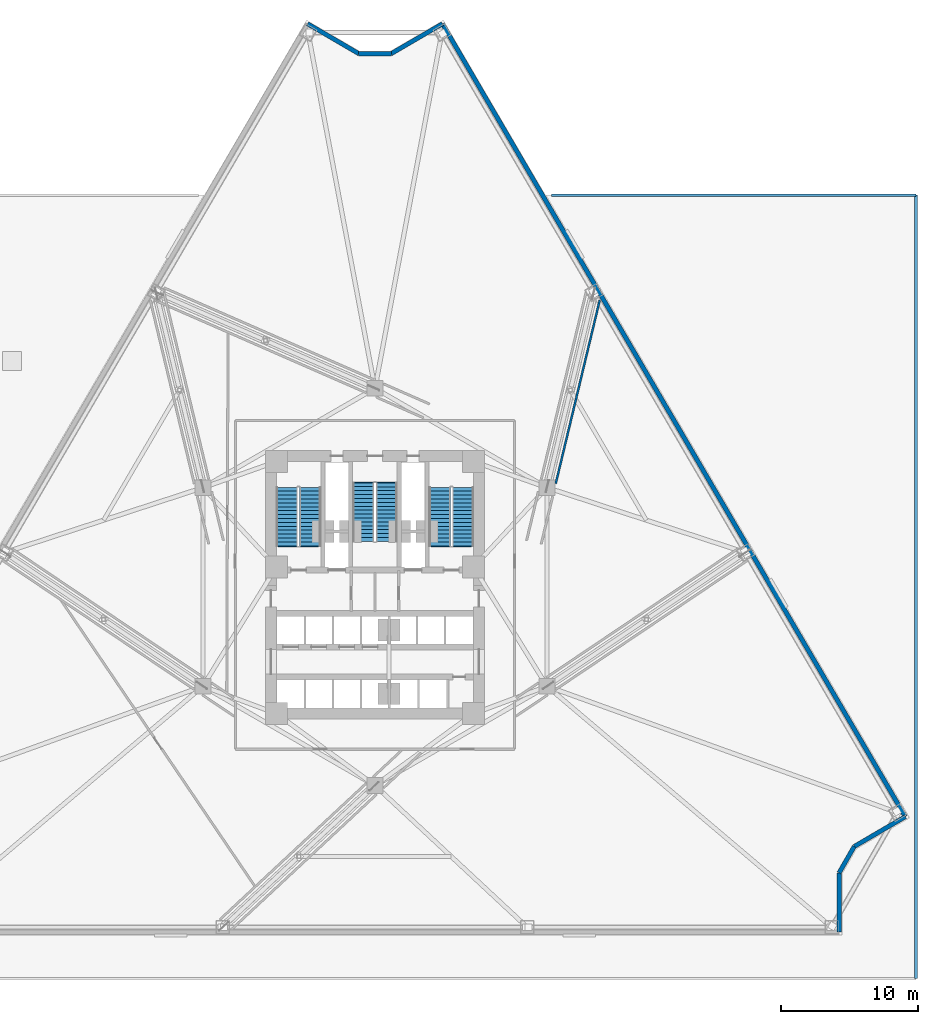
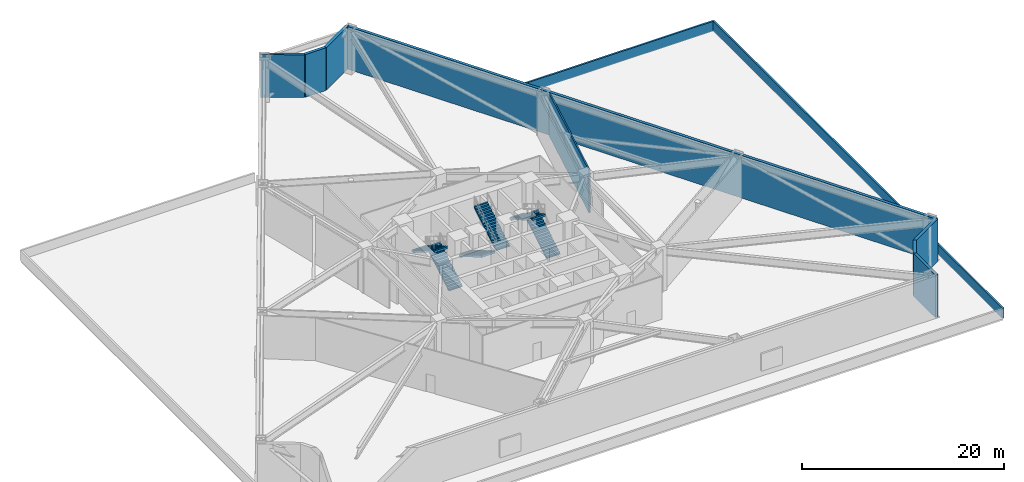
# One storey, part 18 of 23: 10 walls, 6 stair flights, 3 elements without a shape of their own.
"""IFC4 building model written with IfcOpenShell, lengths in metres."""

import ifcopenshell
import ifcopenshell.guid

model = None  # the IFC model being written
_history = None  # IfcOwnerHistory: only IFC2X3 demands one
_inside = {}  # id of a spatial element -> (the spatial element, [elements in it])
_under = {}  # id of a project, library or spatial element -> (it, [spatial elements below it])
_declared = {}  # id of a project -> (the project, [libraries it declares])
_typed = {}  # id of a type object -> (the type object, [elements of that type])
_made_of = {}  # id of a material, layer set ... -> (it, [elements and type objects made of it])


def new_model(schema):
    """Start an empty IFC model of exactly this schema.

    Asked for "IFC4X3", IfcOpenShell would pick the latest addendum, in which some entities
    have other attributes; the version numbers below select the first issue.
    IFC2X3 requires an IfcOwnerHistory on every rooted entity: one is made here for all.
    """
    global model, _history
    if schema == "IFC4X3":
        model = ifcopenshell.file(schema_version=(4, 3, 0, 0))
    else:
        model = ifcopenshell.file(schema=schema)
    _inside.clear()
    _under.clear()
    _declared.clear()
    _typed.clear()
    _made_of.clear()
    _history = None
    if model.schema == "IFC2X3":
        org = make("IfcOrganization", Name="unknown")
        user = make(
            "IfcPersonAndOrganization",
            ThePerson=make("IfcPerson", FamilyName="unknown"),
            TheOrganization=org,
        )
        app = make(
            "IfcApplication",
            ApplicationDeveloper=org,
            Version="unknown",
            ApplicationFullName="unknown",
            ApplicationIdentifier="unknown",
        )
        _history = make(
            "IfcOwnerHistory",
            OwningUser=user,
            OwningApplication=app,
            ChangeAction="ADDED",
            CreationDate=0,
        )
    return model


def make(cls, **values):
    """One entity of the class cls with the attributes given. An attribute that is None is left unset."""
    return model.create_entity(
        cls, **{name: value for name, value in values.items() if value is not None}
    )


def rooted(cls, **values):
    """An entity with a GlobalId (a new one), such as an element, a storey or a relation."""
    return make(cls, GlobalId=ifcopenshell.guid.new(), OwnerHistory=_history, **values)


def si_unit(unit_type, name, prefix=None):
    """IfcSIUnit, for example si_unit("LENGTHUNIT", "METRE", prefix="MILLI")."""
    return make("IfcSIUnit", UnitType=unit_type, Prefix=prefix, Name=name)


def assignment(units):
    """IfcUnitAssignment: the units of a project."""
    return None if units is None else make("IfcUnitAssignment", Units=units)


def point(xyz):
    """IfcCartesianPoint."""
    return None if xyz is None else make("IfcCartesianPoint", Coordinates=xyz)


def direction(xyz):
    """IfcDirection."""
    return None if xyz is None else make("IfcDirection", DirectionRatios=xyz)


def frame(location, z_axis=None, x_axis=None):
    """IfcAxis2Placement3D, a coordinate frame: its origin and axes. An axis left out is left unset."""
    return make(
        "IfcAxis2Placement3D",
        Location=point(location),
        Axis=direction(z_axis),
        RefDirection=direction(x_axis),
    )


def frame_2d(location, x_axis=None):
    """IfcAxis2Placement2D, a coordinate frame in the plane: its origin and x axis."""
    return make(
        "IfcAxis2Placement2D", Location=point(location), RefDirection=direction(x_axis)
    )


def origin():
    """The frame at (0, 0, 0) with its axes left unset."""
    return frame((0.0, 0.0, 0.0))


def place(relative_to, where):
    """IfcLocalPlacement: puts the frame where relative to a parent placement (None: the world)."""
    return make(
        "IfcLocalPlacement", PlacementRelTo=relative_to, RelativePlacement=where
    )


def context(
    kind, dimensions, precision=None, world=None, true_north=None, identifier=None
):
    """IfcGeometricRepresentationContext, for example the 3D "Model" context."""
    return make(
        "IfcGeometricRepresentationContext",
        ContextIdentifier=identifier,
        ContextType=kind,
        CoordinateSpaceDimension=dimensions,
        Precision=precision,
        WorldCoordinateSystem=world,
        TrueNorth=true_north,
    )


def subcontext(parent, identifier, kind, view, scale=None):
    """IfcGeometricRepresentationSubContext, for example "Body" below "Model"."""
    return make(
        "IfcGeometricRepresentationSubContext",
        ContextIdentifier=identifier,
        ContextType=kind,
        ParentContext=parent,
        TargetScale=scale,
        TargetView=view,
    )


def project(units=None, contexts=None):
    """IfcProject with its units and contexts."""
    return rooted(
        "IfcProject",
        Name="project",
        RepresentationContexts=contexts,
        UnitsInContext=assignment(units),
    )


def spatial(cls, under=None, at=None, **own):
    """A site, building, storey or space (cls), placed at a placement, below another one or the project."""
    s = rooted(cls, ObjectPlacement=at, **own)
    if under is not None:
        _under.setdefault(under.id(), (under, []))[1].append(s)
    return s


def polyline(points):
    """IfcPolyline through the points."""
    return make("IfcPolyline", Points=[point(p) for p in points])


def profile(cls, at=None, kind="AREA", **sizes):
    """A parametric profile (cls). Its sizes go by their IFC names, for example OverallWidth=200.0."""
    return make(cls, ProfileType=kind, Position=at, **sizes)


def rectangle(**sizes):
    """IfcRectangleProfileDef."""
    return profile("IfcRectangleProfileDef", **sizes)


def outline(outer, holes=None, kind="AREA"):
    """IfcArbitraryClosedProfileDef: a profile drawn as a closed curve; with holes, ...WithVoids."""
    if holes is None:
        return make("IfcArbitraryClosedProfileDef", ProfileType=kind, OuterCurve=outer)
    return make(
        "IfcArbitraryProfileDefWithVoids",
        ProfileType=kind,
        OuterCurve=outer,
        InnerCurves=holes,
    )


def extrude(swept, where, along, depth):
    """IfcExtrudedAreaSolid: the profile swept, set in the frame where, extruded along a direction by depth."""
    return make(
        "IfcExtrudedAreaSolid",
        SweptArea=swept,
        Position=where,
        ExtrudedDirection=direction(along),
        Depth=depth,
    )


def shape(context_of_items, identifier, shape_type, items):
    """IfcShapeRepresentation: the items that make up one representation, for example the "Body"."""
    return make(
        "IfcShapeRepresentation",
        ContextOfItems=context_of_items,
        RepresentationIdentifier=identifier,
        RepresentationType=shape_type,
        Items=items,
    )


def material(Name=None, Category=None):
    """IfcMaterial."""
    return make("IfcMaterial", Name=Name, Category=Category)


def layer(
    of_material, thickness, ventilated=None, Name=None, Category=None, Priority=None
):
    """IfcMaterialLayer: one layer of a wall or slab, of a material (None: an air gap)."""
    return make(
        "IfcMaterialLayer",
        Material=of_material,
        LayerThickness=thickness,
        IsVentilated=ventilated,
        Name=Name,
        Category=Category,
        Priority=Priority,
    )


def layer_set(layers, Name=None):
    """IfcMaterialLayerSet."""
    return make("IfcMaterialLayerSet", MaterialLayers=layers, LayerSetName=Name)


def made_of(thing, what):
    """Note that an element or type object is made of a material, layer set ...; save() writes the relation."""
    if what is not None:
        _made_of.setdefault(what.id(), (what, []))[1].append(thing)
    return thing


def type_object(cls, material=None, **own):
    """A type object (cls), such as IfcWallType, which elements share."""
    return made_of(rooted(cls, **own), material)


def element(
    cls,
    number,
    at=None,
    inside=None,
    cuts=None,
    type_object=None,
    material=None,
    context=None,
    identifier="Body",
    shape_type=None,
    held_by="IfcProductDefinitionShape",
    body=None,
    shapes=None,
    **own,
):
    """One element of the class cls, such as IfcWall. Its Tag is "e" and its number.

    at: its placement. inside: the storey or other place that contains it. cuts: it is an
    opening in that element (IfcRelVoidsElement). A single representation is given by context,
    identifier, shape_type and body (its items); several are given by shapes. held_by: the class
    of the entity that holds the representations. save() writes the other relations.
    """
    e = rooted(cls, Tag="e%d" % number, ObjectPlacement=at, **own)
    if body is not None:
        shapes = [shape(context, identifier, shape_type, body)]
    if shapes is not None:
        e.Representation = make(held_by, Representations=shapes)
    if inside is not None:
        _inside.setdefault(inside.id(), (inside, []))[1].append(e)
    if cuts is not None:
        rooted(
            "IfcRelVoidsElement", RelatingBuildingElement=cuts, RelatedOpeningElement=e
        )
    if type_object is not None:
        _typed.setdefault(type_object.id(), (type_object, []))[1].append(e)
    return made_of(e, material)


def aggregate(whole, parts):
    """IfcRelAggregates: a whole, such as a stair, and the parts it consists of."""
    return rooted("IfcRelAggregates", RelatingObject=whole, RelatedObjects=parts)


def save(model, path):
    """Write the relations noted so far, then the file.

    IfcRelAggregates (storeys below a building ...), IfcRelContainedInSpatialStructure (elements
    in a storey), IfcRelDefinesByType, IfcRelAssociatesMaterial and IfcRelDeclares: one each for
    every whole, place, type object, material and project.
    """
    for whole, parts in _under.values():
        aggregate(whole, parts)
    for where, things in _inside.values():
        rooted(
            "IfcRelContainedInSpatialStructure",
            RelatedElements=things,
            RelatingStructure=where,
        )
    for kind, things in _typed.values():
        rooted("IfcRelDefinesByType", RelatedObjects=things, RelatingType=kind)
    for what, things in _made_of.values():
        rooted("IfcRelAssociatesMaterial", RelatedObjects=things, RelatingMaterial=what)
    for by, libraries in _declared.values():
        rooted("IfcRelDeclares", RelatingContext=by, RelatedDefinitions=libraries)
    model.write(path)


model = new_model("IFC4")

# Units and contexts
model_context = context("Model", 3, precision=1e-05, world=origin(), true_north=direction((0.0, 1.0)))
body_context = subcontext(model_context, "Body", "Model", "MODEL_VIEW")
ifc_project = project(units=[si_unit("LENGTHUNIT", "METRE"), si_unit("AREAUNIT", "SQUARE_METRE"), si_unit("VOLUMEUNIT", "CUBIC_METRE"), si_unit("PLANEANGLEUNIT", "RADIAN"), si_unit("MASSUNIT", "GRAM", prefix="KILO")], contexts=[model_context])

# Site, building, storey
site_placement = place(None, origin())
site = spatial("IfcSite", under=ifc_project, at=site_placement, CompositionType="ELEMENT")
building_placement = place(site_placement, origin())
building = spatial("IfcBuilding", under=site, at=building_placement, Name="Apsidion Concourse Tower", CompositionType="ELEMENT")
storey_placement = place(building_placement, frame((0.0, 0.0, 29.0)))
storey = spatial("IfcBuildingStorey", under=building, at=storey_placement, Name="L05", CompositionType="ELEMENT", Elevation=29.0)

# Walls
ifc_material_1 = material(Name="Precast concrete C40/50", Category="concrete")
ifc_layer_1 = layer(ifc_material_1, 0.320068359375)
ifc_layer_set_1 = layer_set([ifc_layer_1], Name="Precast concrete C40/50")
wall_type_1 = type_object("IfcWallType", Name="WL-EXT-320", PredefinedType="STANDARD", material=ifc_layer_set_1)
wall_1_placement = place(storey_placement, frame((4.9228515625, 41.121826171875, 0.0), z_axis=(0.0, 0.0, 1.0), x_axis=(0.504213113214, -0.863579258935, 0.0)))
element("IfcWall", 1, at=wall_1_placement, inside=storey, type_object=wall_type_1, Name="L05 Precast Stone Facade Wall 01", PredefinedType="STANDARD", context=body_context, shape_type="SweptSolid", body=[
    extrude(rectangle(XDim=67.041015625, YDim=0.320068359375, at=frame_2d((33.5205078125, 0.0))), origin(), (0.0, 0.0, 1.0), 5.14990234375),
])
wall_2_placement = place(storey_placement, frame((38.725830078125, -16.7734375, 0.0), z_axis=(0.0, 0.0, 1.0), x_axis=(-0.863569936823, -0.504229079105, 0.0)))
element("IfcWall", 2, at=wall_2_placement, inside=storey, type_object=wall_type_1, Name="L05 Precast Stone Facade Wall 02", PredefinedType="STANDARD", context=body_context, shape_type="SweptSolid", body=[
    extrude(rectangle(XDim=4.32373046875, YDim=0.320068359375, at=frame_2d((2.161865234375, 0.0))), origin(), (0.0, 0.0, 1.0), 5.14990234375),
])
wall_3_placement = place(storey_placement, frame((34.991943359375, -18.95361328125, 0.0), z_axis=(0.0, 0.0, 1.0), x_axis=(-0.497881323344, -0.867245171717, 0.0)))
element("IfcWall", 3, at=wall_3_placement, inside=storey, type_object=wall_type_1, Name="L05 Precast Stone Facade Wall 03", PredefinedType="STANDARD", context=body_context, shape_type="SweptSolid", body=[
    extrude(rectangle(XDim=2.216796875, YDim=0.320068359375, at=frame_2d((1.1083984375, 0.0))), origin(), (0.0, 0.0, 1.0), 5.14990234375),
])
wall_4_placement = place(storey_placement, frame((33.88818359375, -20.876220703125, 0.0), z_axis=(0.0, 0.0, 1.0), x_axis=(0.0, -1.0, 0.0)))
element("IfcWall", 4, at=wall_4_placement, inside=storey, type_object=wall_type_1, Name="L05 Precast Stone Facade Wall 04", PredefinedType="STANDARD", context=body_context, shape_type="SweptSolid", body=[
    extrude(rectangle(XDim=4.32373046875, YDim=0.320068359375, at=frame_2d((2.161865234375, 0.0))), origin(), (0.0, 0.0, 1.0), 5.14990234375),
])
wall_5_placement = place(storey_placement, frame((-4.9228515625, 41.121826171875, 0.0), z_axis=(0.0, 0.0, 1.0), x_axis=(0.863588414101, -0.50419743259, 0.0)))
element("IfcWall", 5, at=wall_5_placement, inside=storey, type_object=wall_type_1, Name="L05 Precast Stone Facade Wall 10", PredefinedType="STANDARD", context=body_context, shape_type="SweptSolid", body=[
    extrude(rectangle(XDim=4.324462890625, YDim=0.320068359375, at=frame_2d((2.162109375, 0.0))), origin(), (0.0, 0.0, 1.0), 5.14990234375),
])
wall_6_placement = place(storey_placement, frame((-1.188232421875, 38.94140625, 0.0), z_axis=(0.0, 0.0, 1.0), x_axis=(1.0, 0.0, 0.0)))
element("IfcWall", 6, at=wall_6_placement, inside=storey, type_object=wall_type_1, Name="L05 Precast Stone Facade Wall 11", PredefinedType="STANDARD", context=body_context, shape_type="SweptSolid", body=[
    extrude(rectangle(XDim=2.37646484375, YDim=0.320068359375, at=frame_2d((1.188232421875, 0.0))), origin(), (0.0, 0.0, 1.0), 5.14990234375),
])
wall_7_placement = place(storey_placement, frame((1.188232421875, 38.94140625, 0.0), z_axis=(0.0, 0.0, 1.0), x_axis=(0.863588414101, 0.50419743259, 0.0)))
element("IfcWall", 7, at=wall_7_placement, inside=storey, type_object=wall_type_1, Name="L05 Precast Stone Facade Wall 12", PredefinedType="STANDARD", context=body_context, shape_type="SweptSolid", body=[
    extrude(rectangle(XDim=4.324462890625, YDim=0.320068359375, at=frame_2d((2.162109375, 0.0))), origin(), (0.0, 0.0, 1.0), 5.14990234375),
])
ifc_material_2 = material(Name="Gypsum plasterboard partition")
ifc_layer_2 = layer(ifc_material_2, 0.14990234375)
ifc_layer_set_2 = layer_set([ifc_layer_2], Name="Gypsum plasterboard partition")
wall_type_2 = type_object("IfcWallType", Name="WL-INT-PAR-150", PredefinedType="PARTITIONING", material=ifc_layer_set_2)
wall_8_placement = place(storey_placement, frame((13.195068359375, 7.539306640625, 0.0), z_axis=(0.0, 0.0, 1.0), x_axis=(0.233236865616, 0.972419952756, 0.0)))
element("IfcWall", 8, at=wall_8_placement, inside=storey, type_object=wall_type_2, Name="L05 Interior Partition WL-L05-OTW-03-1-2", PredefinedType="PARTITIONING", context=body_context, shape_type="SweptSolid", body=[
    extrude(rectangle(XDim=13.774169921875, YDim=0.14990234375, at=frame_2d((6.88720703125, 0.0))), origin(), (0.0, 0.0, 1.0), 5.14990234375),
])
ifc_layer_3 = layer(ifc_material_1, 0.199951171875)
ifc_layer_set_3 = layer_set([ifc_layer_3], Name="Precast concrete C40/50")
wall_type_3 = type_object("IfcWallType", Name="WL-PAR-200", PredefinedType="PARAPET", material=ifc_layer_set_3)
wall_9_placement = place(storey_placement, frame((39.5, 28.60009765625, 0.0), z_axis=(0.0, 0.0, 1.0), x_axis=(0.0, -1.0, 0.0)))
element("IfcWall", 9, at=wall_9_placement, inside=storey, type_object=wall_type_3, Name="L05 Podium Maintenance Roof Parapet 1", PredefinedType="PARAPET", context=body_context, shape_type="SweptSolid", body=[
    extrude(rectangle(XDim=57.2001953125, YDim=0.199951171875, at=frame_2d((28.60009765625, 0.0))), origin(), (0.0, 0.0, 1.0), 1.199951171875),
])
wall_10_placement = place(storey_placement, frame((12.870849609375, 28.60009765625, 0.0), z_axis=(0.0, 0.0, 1.0), x_axis=(1.0, 0.0, 0.0)))
element("IfcWall", 10, at=wall_10_placement, inside=storey, type_object=wall_type_3, Name="L05 Podium Maintenance Roof Parapet 78", PredefinedType="PARAPET", context=body_context, shape_type="SweptSolid", body=[
    extrude(rectangle(XDim=26.629150390625, YDim=0.199951171875, at=frame_2d((13.314453125, 0.0))), origin(), (0.0, 0.0, 1.0), 1.199951171875),
])

# Stair, stair flights
stair_type = type_object("IfcStairType", Name="ST-DL-1550", PredefinedType="HALF_TURN_STAIR", material=ifc_material_1)
stair_1_placement = place(storey_placement, origin())
stair_1 = element("IfcStair", 11, at=stair_1_placement, inside=storey, type_object=stair_type, Name="L05 Protected Core Exit Stair ST1", PredefinedType="HALF_TURN_STAIR")
stair_flight_type = type_object("IfcStairFlightType", Name="SFL-RC-1550", PredefinedType="STRAIGHT", material=ifc_material_1)
stair_flight_1_placement = place(storey_placement, frame((-4.72509765625, 3.0, 0.0), z_axis=(0.0, 0.0, 1.0), x_axis=(0.0, 1.0, 0.0)))
stair_flight_1 = element("IfcStairFlight", 12, at=stair_flight_1_placement, type_object=stair_flight_type, Name="ST1 flight 1", NumberOfRisers=16, NumberOfTreads=15, PredefinedType="STRAIGHT", RiserHeight=0.16875, TreadLength=0.285, context=body_context, shape_type="SweptSolid", body=[
    extrude(outline(polyline([(-0.080078125, -0.1123046875), (-0.080078125, 0.0), (0.0, 0.0), (0.0, 0.168701171875), (0.284912109375, 0.168701171875), (0.284912109375, 0.33740234375), (0.570068359375, 0.33740234375), (0.570068359375, 0.50634765625), (0.85498046875, 0.50634765625), (0.85498046875, 0.675048828125), (1.139892578125, 0.675048828125), (1.139892578125, 0.84375), (1.425048828125, 0.84375), (1.425048828125, 1.012451171875), (1.7099609375, 1.012451171875), (1.7099609375, 1.18115234375), (1.9951171875, 1.18115234375), (1.9951171875, 1.35009765625), (2.280029296875, 1.35009765625), (2.280029296875, 1.518798828125), (2.56494140625, 1.518798828125), (2.56494140625, 1.6875), (2.85009765625, 1.6875), (2.85009765625, 1.856201171875), (3.135009765625, 1.856201171875), (3.135009765625, 2.02490234375), (3.419921875, 2.02490234375), (3.419921875, 2.19384765625), (3.705078125, 2.19384765625), (3.705078125, 2.362548828125), (3.989990234375, 2.362548828125), (3.989990234375, 2.53125), (4.27490234375, 2.53125), (4.27490234375, 2.699951171875), (4.35498046875, 2.61572265625), (4.35498046875, 2.35693359375), (4.27490234375, 2.35693359375), (0.294189453125, 0.0), (0.294189453125, -0.1123046875), (-0.080078125, -0.1123046875)])), frame((0.0, 0.77490234375, 0.0), z_axis=(0.0, -1.0, 0.0), x_axis=(1.0, 0.0, 0.0)), (0.0, 0.0, 1.0), 1.550048828125),
])
stair_flight_2_placement = place(storey_placement, frame((-6.425048828125, 7.27490234375, 2.699951171875), z_axis=(0.0, 0.0, 1.0), x_axis=(0.0, -1.0, 0.0)))
stair_flight_2 = element("IfcStairFlight", 13, at=stair_flight_2_placement, type_object=stair_flight_type, Name="ST1 flight 2", NumberOfRisers=16, NumberOfTreads=15, PredefinedType="STRAIGHT", RiserHeight=0.16875, TreadLength=0.285, context=body_context, shape_type="SweptSolid", body=[
    extrude(outline(polyline([(-0.080078125, -0.1123046875), (-0.080078125, 0.0), (0.0, 0.0), (0.0, 0.168701171875), (0.284912109375, 0.168701171875), (0.284912109375, 0.33740234375), (0.570068359375, 0.33740234375), (0.570068359375, 0.50634765625), (0.85498046875, 0.50634765625), (0.85498046875, 0.675048828125), (1.139892578125, 0.675048828125), (1.139892578125, 0.84375), (1.425048828125, 0.84375), (1.425048828125, 1.012451171875), (1.7099609375, 1.012451171875), (1.7099609375, 1.18115234375), (1.9951171875, 1.18115234375), (1.9951171875, 1.35009765625), (2.280029296875, 1.35009765625), (2.280029296875, 1.518798828125), (2.56494140625, 1.518798828125), (2.56494140625, 1.6875), (2.85009765625, 1.6875), (2.85009765625, 1.856201171875), (3.135009765625, 1.856201171875), (3.135009765625, 2.02490234375), (3.419921875, 2.02490234375), (3.419921875, 2.19384765625), (3.705078125, 2.19384765625), (3.705078125, 2.362548828125), (3.989990234375, 2.362548828125), (3.989990234375, 2.53125), (4.27490234375, 2.53125), (4.27490234375, 2.699951171875), (4.35498046875, 2.61572265625), (4.35498046875, 2.35693359375), (4.27490234375, 2.35693359375), (0.294189453125, 0.0), (0.294189453125, -0.1123046875), (-0.080078125, -0.1123046875)])), frame((0.0, 0.77490234375, 0.0), z_axis=(0.0, -1.0, 0.0), x_axis=(1.0, 0.0, 0.0)), (0.0, 0.0, 1.0), 1.550048828125),
])
aggregate(stair_1, [stair_flight_1, stair_flight_2])

stair_2_placement = place(storey_placement, origin())
stair_2 = element("IfcStair", 14, at=stair_2_placement, inside=storey, type_object=stair_type, Name="L05 Protected Core Exit Stair ST2", PredefinedType="HALF_TURN_STAIR")
stair_flight_3_placement = place(storey_placement, frame((6.425048828125, 3.0, 0.0), z_axis=(0.0, 0.0, 1.0), x_axis=(0.0, 1.0, 0.0)))
stair_flight_3 = element("IfcStairFlight", 15, at=stair_flight_3_placement, type_object=stair_flight_type, Name="ST2 flight 1", NumberOfRisers=16, NumberOfTreads=15, PredefinedType="STRAIGHT", RiserHeight=0.16875, TreadLength=0.285, context=body_context, shape_type="SweptSolid", body=[
    extrude(outline(polyline([(-0.080078125, -0.1123046875), (-0.080078125, 0.0), (0.0, 0.0), (0.0, 0.168701171875), (0.284912109375, 0.168701171875), (0.284912109375, 0.33740234375), (0.570068359375, 0.33740234375), (0.570068359375, 0.50634765625), (0.85498046875, 0.50634765625), (0.85498046875, 0.675048828125), (1.139892578125, 0.675048828125), (1.139892578125, 0.84375), (1.425048828125, 0.84375), (1.425048828125, 1.012451171875), (1.7099609375, 1.012451171875), (1.7099609375, 1.18115234375), (1.9951171875, 1.18115234375), (1.9951171875, 1.35009765625), (2.280029296875, 1.35009765625), (2.280029296875, 1.518798828125), (2.56494140625, 1.518798828125), (2.56494140625, 1.6875), (2.85009765625, 1.6875), (2.85009765625, 1.856201171875), (3.135009765625, 1.856201171875), (3.135009765625, 2.02490234375), (3.419921875, 2.02490234375), (3.419921875, 2.19384765625), (3.705078125, 2.19384765625), (3.705078125, 2.362548828125), (3.989990234375, 2.362548828125), (3.989990234375, 2.53125), (4.27490234375, 2.53125), (4.27490234375, 2.699951171875), (4.35498046875, 2.61572265625), (4.35498046875, 2.35693359375), (4.27490234375, 2.35693359375), (0.294189453125, 0.0), (0.294189453125, -0.1123046875), (-0.080078125, -0.1123046875)])), frame((0.0, 0.77490234375, 0.0), z_axis=(0.0, -1.0, 0.0), x_axis=(1.0, 0.0, 0.0)), (0.0, 0.0, 1.0), 1.550048828125),
])
stair_flight_4_placement = place(storey_placement, frame((4.72509765625, 7.27490234375, 2.699951171875), z_axis=(0.0, 0.0, 1.0), x_axis=(0.0, -1.0, 0.0)))
stair_flight_4 = element("IfcStairFlight", 16, at=stair_flight_4_placement, type_object=stair_flight_type, Name="ST2 flight 2", NumberOfRisers=16, NumberOfTreads=15, PredefinedType="STRAIGHT", RiserHeight=0.16875, TreadLength=0.285, context=body_context, shape_type="SweptSolid", body=[
    extrude(outline(polyline([(-0.080078125, -0.1123046875), (-0.080078125, 0.0), (0.0, 0.0), (0.0, 0.168701171875), (0.284912109375, 0.168701171875), (0.284912109375, 0.33740234375), (0.570068359375, 0.33740234375), (0.570068359375, 0.50634765625), (0.85498046875, 0.50634765625), (0.85498046875, 0.675048828125), (1.139892578125, 0.675048828125), (1.139892578125, 0.84375), (1.425048828125, 0.84375), (1.425048828125, 1.012451171875), (1.7099609375, 1.012451171875), (1.7099609375, 1.18115234375), (1.9951171875, 1.18115234375), (1.9951171875, 1.35009765625), (2.280029296875, 1.35009765625), (2.280029296875, 1.518798828125), (2.56494140625, 1.518798828125), (2.56494140625, 1.6875), (2.85009765625, 1.6875), (2.85009765625, 1.856201171875), (3.135009765625, 1.856201171875), (3.135009765625, 2.02490234375), (3.419921875, 2.02490234375), (3.419921875, 2.19384765625), (3.705078125, 2.19384765625), (3.705078125, 2.362548828125), (3.989990234375, 2.362548828125), (3.989990234375, 2.53125), (4.27490234375, 2.53125), (4.27490234375, 2.699951171875), (4.35498046875, 2.61572265625), (4.35498046875, 2.35693359375), (4.27490234375, 2.35693359375), (0.294189453125, 0.0), (0.294189453125, -0.1123046875), (-0.080078125, -0.1123046875)])), frame((0.0, 0.77490234375, 0.0), z_axis=(0.0, -1.0, 0.0), x_axis=(1.0, 0.0, 0.0)), (0.0, 0.0, 1.0), 1.550048828125),
])
aggregate(stair_2, [stair_flight_3, stair_flight_4])

stair_3_placement = place(storey_placement, origin())
stair_3 = element("IfcStair", 17, at=stair_3_placement, inside=storey, type_object=stair_type, Name="L05 Protected Core Exit Stair ST3", PredefinedType="HALF_TURN_STAIR")
stair_flight_5_placement = place(storey_placement, frame((-0.85009765625, 7.60009765625, 0.0), z_axis=(0.0, 0.0, 1.0), x_axis=(0.0, -1.0, 0.0)))
stair_flight_5 = element("IfcStairFlight", 18, at=stair_flight_5_placement, type_object=stair_flight_type, Name="ST3 flight 1", NumberOfRisers=16, NumberOfTreads=15, PredefinedType="STRAIGHT", RiserHeight=0.16875, TreadLength=0.285, context=body_context, shape_type="SweptSolid", body=[
    extrude(outline(polyline([(-0.080078125, -0.1123046875), (-0.080078125, 0.0), (0.0, 0.0), (0.0, 0.168701171875), (0.284912109375, 0.168701171875), (0.284912109375, 0.33740234375), (0.570068359375, 0.33740234375), (0.570068359375, 0.50634765625), (0.85498046875, 0.50634765625), (0.85498046875, 0.675048828125), (1.139892578125, 0.675048828125), (1.139892578125, 0.84375), (1.425048828125, 0.84375), (1.425048828125, 1.012451171875), (1.7099609375, 1.012451171875), (1.7099609375, 1.18115234375), (1.9951171875, 1.18115234375), (1.9951171875, 1.35009765625), (2.280029296875, 1.35009765625), (2.280029296875, 1.518798828125), (2.56494140625, 1.518798828125), (2.56494140625, 1.6875), (2.85009765625, 1.6875), (2.85009765625, 1.856201171875), (3.135009765625, 1.856201171875), (3.135009765625, 2.02490234375), (3.419921875, 2.02490234375), (3.419921875, 2.19384765625), (3.705078125, 2.19384765625), (3.705078125, 2.362548828125), (3.989990234375, 2.362548828125), (3.989990234375, 2.53125), (4.27490234375, 2.53125), (4.27490234375, 2.699951171875), (4.35498046875, 2.61572265625), (4.35498046875, 2.35693359375), (4.27490234375, 2.35693359375), (0.294189453125, 0.0), (0.294189453125, -0.1123046875), (-0.080078125, -0.1123046875)])), frame((0.0, 0.77490234375, 0.0), z_axis=(0.0, -1.0, 0.0), x_axis=(1.0, 0.0, 0.0)), (0.0, 0.0, 1.0), 1.550048828125),
])
stair_flight_6_placement = place(storey_placement, frame((0.85009765625, 3.324951171875, 2.699951171875), z_axis=(0.0, 0.0, 1.0), x_axis=(0.0, 1.0, 0.0)))
stair_flight_6 = element("IfcStairFlight", 19, at=stair_flight_6_placement, type_object=stair_flight_type, Name="ST3 flight 2", NumberOfRisers=16, NumberOfTreads=15, PredefinedType="STRAIGHT", RiserHeight=0.16875, TreadLength=0.285, context=body_context, shape_type="SweptSolid", body=[
    extrude(outline(polyline([(-0.080078125, -0.1123046875), (-0.080078125, 0.0), (0.0, 0.0), (0.0, 0.168701171875), (0.284912109375, 0.168701171875), (0.284912109375, 0.33740234375), (0.570068359375, 0.33740234375), (0.570068359375, 0.50634765625), (0.85498046875, 0.50634765625), (0.85498046875, 0.675048828125), (1.139892578125, 0.675048828125), (1.139892578125, 0.84375), (1.425048828125, 0.84375), (1.425048828125, 1.012451171875), (1.7099609375, 1.012451171875), (1.7099609375, 1.18115234375), (1.9951171875, 1.18115234375), (1.9951171875, 1.35009765625), (2.280029296875, 1.35009765625), (2.280029296875, 1.518798828125), (2.56494140625, 1.518798828125), (2.56494140625, 1.6875), (2.85009765625, 1.6875), (2.85009765625, 1.856201171875), (3.135009765625, 1.856201171875), (3.135009765625, 2.02490234375), (3.419921875, 2.02490234375), (3.419921875, 2.19384765625), (3.705078125, 2.19384765625), (3.705078125, 2.362548828125), (3.989990234375, 2.362548828125), (3.989990234375, 2.53125), (4.27490234375, 2.53125), (4.27490234375, 2.699951171875), (4.35498046875, 2.61572265625), (4.35498046875, 2.35693359375), (4.27490234375, 2.35693359375), (0.294189453125, 0.0), (0.294189453125, -0.1123046875), (-0.080078125, -0.1123046875)])), frame((0.0, 0.77490234375, 0.0), z_axis=(0.0, -1.0, 0.0), x_axis=(1.0, 0.0, 0.0)), (0.0, 0.0, 1.0), 1.550048828125),
])
aggregate(stair_3, [stair_flight_5, stair_flight_6])

save(model, "model.ifc")
